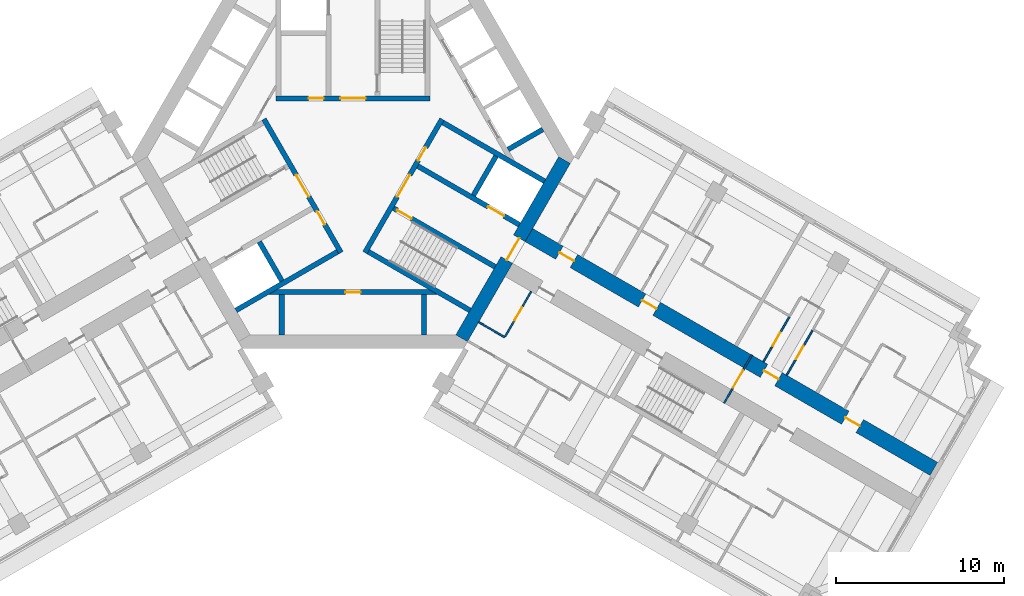
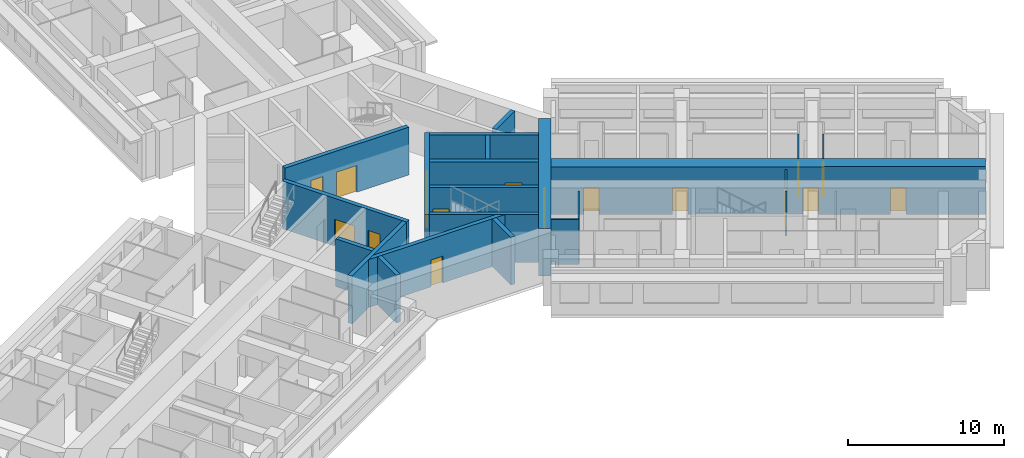
# One storey, part 6 of 12: 21 walls, 18 doors, 18 openings.
"""IFC4 building model written with IfcOpenShell, lengths in metres."""

from ifc_helpers import new_model, si_unit, direction, frame, frame_2d, origin, place, context, subcontext, project, spatial, rectangle, extrude, material, layer, layer_set, type_object, element, fill, save


model = new_model("IFC4")

# Units and contexts
model_context = context("Model", 3, precision=1e-05, world=origin(), true_north=direction((0.0, 1.0)))
body_context = subcontext(model_context, "Body", "Model", "MODEL_VIEW")
ifc_project = project(units=[si_unit("LENGTHUNIT", "METRE"), si_unit("AREAUNIT", "SQUARE_METRE"), si_unit("VOLUMEUNIT", "CUBIC_METRE"), si_unit("PLANEANGLEUNIT", "RADIAN"), si_unit("MASSUNIT", "GRAM", prefix="KILO")], contexts=[model_context])

# Site, building, storey
site_placement = place(None, origin())
site = spatial("IfcSite", under=ifc_project, at=site_placement, CompositionType="ELEMENT")
building_placement = place(site_placement, origin())
building = spatial("IfcBuilding", under=site, at=building_placement, Name="Impinga Residences", CompositionType="ELEMENT")
storey_placement = place(building_placement, frame((0.0, 0.0, 162.25)))
storey = spatial("IfcBuildingStorey", under=building, at=storey_placement, Name="L40", CompositionType="ELEMENT", Elevation=162.25)

# Wall, openings, doors
ifc_material_1 = material(Name="Concrete C60/75", Category="concrete")
ifc_layer_1 = layer(ifc_material_1, 0.89990234375)
ifc_layer_set_1 = layer_set([ifc_layer_1], Name="Concrete C60/75")
wall_type_1 = type_object("IfcWallType", Name="BW2 corridor buttress wall, L24 to L44 900", PredefinedType="SHEAR", material=ifc_layer_set_1)
wall_1_placement = place(storey_placement, frame((10.153564453125, -4.4765625, 0.0), z_axis=(0.0, 0.0, 1.0), x_axis=(0.866027127636, -0.49999701419, 0.0)))
wall_1 = element("IfcWall", 1, at=wall_1_placement, inside=storey, type_object=wall_type_1, Name="Corridor wall BW2 EC L40", PredefinedType="SHEAR", context=body_context, shape_type="SweptSolid", body=[
    extrude(rectangle(XDim=28.300048828125, YDim=0.89990234375, at=frame_2d((14.14990234375, 0.0))), origin(), (0.0, 0.0, 1.0), 3.75),
])
opening_1_placement = place(wall_1_placement, frame((2.5, 0.0, 0.0)))
opening_1 = element("IfcOpeningElement", 2, at=opening_1_placement, cuts=wall_1, Name="Opening D1", PredefinedType="OPENING", context=body_context, shape_type="SweptSolid", body=[
    extrude(rectangle(XDim=1.0, YDim=2.10009765625, at=frame_2d((0.5, 1.050048828125))), frame((0.0, 0.4599609375, 0.0), z_axis=(0.0, -1.0, 0.0), x_axis=(1.0, 0.0, 0.0)), (0.0, 0.0, 1.0), 0.919921875),
])
opening_2_placement = place(wall_1_placement, frame((8.199951171875, 0.0, 0.0)))
opening_2 = element("IfcOpeningElement", 3, at=opening_2_placement, cuts=wall_1, Name="Opening D1", PredefinedType="OPENING", context=body_context, shape_type="SweptSolid", body=[
    extrude(rectangle(XDim=1.0, YDim=2.10009765625, at=frame_2d((0.5, 1.050048828125))), frame((0.0, 0.4599609375, 0.0), z_axis=(0.0, -1.0, 0.0), x_axis=(1.0, 0.0, 0.0)), (0.0, 0.0, 1.0), 0.919921875),
])
opening_3_placement = place(wall_1_placement, frame((16.60009765625, 0.0, 0.0)))
opening_3 = element("IfcOpeningElement", 4, at=opening_3_placement, cuts=wall_1, Name="Opening D1", PredefinedType="OPENING", context=body_context, shape_type="SweptSolid", body=[
    extrude(rectangle(XDim=1.0, YDim=2.10009765625, at=frame_2d((0.5, 1.050048828125))), frame((0.0, 0.4599609375, 0.0), z_axis=(0.0, -1.0, 0.0), x_axis=(1.0, 0.0, 0.0)), (0.0, 0.0, 1.0), 0.919921875),
])
opening_4_placement = place(wall_1_placement, frame((22.199951171875, 0.0, 0.0)))
opening_4 = element("IfcOpeningElement", 5, at=opening_4_placement, cuts=wall_1, Name="Opening D1", PredefinedType="OPENING", context=body_context, shape_type="SweptSolid", body=[
    extrude(rectangle(XDim=1.0, YDim=2.10009765625, at=frame_2d((0.5, 1.050048828125))), frame((0.0, 0.4599609375, 0.0), z_axis=(0.0, -1.0, 0.0), x_axis=(1.0, 0.0, 0.0)), (0.0, 0.0, 1.0), 0.919921875),
])
ifc_material_2 = material(Name="Timber door set", Category="wood")
door_type_1 = type_object("IfcDoorType", Name="D1 apartment entrance door 1000x2100", OperationType="SINGLE_SWING_LEFT", PredefinedType="DOOR", material=ifc_material_2)
door_1_placement = place(opening_1_placement, origin())
door_1 = element("IfcDoor", 6, at=door_1_placement, inside=storey, type_object=door_type_1, Name="Apartment L40-EA1 entrance", OperationType="SINGLE_SWING_LEFT", OverallHeight=2.10009765625, OverallWidth=1.0, PredefinedType="DOOR", context=body_context, shape_type="SweptSolid", body=[
    extrude(rectangle(XDim=1.0, YDim=2.10009765625, at=frame_2d((0.5, 1.050048828125))), frame((0.0, 0.02490234375, 0.0), z_axis=(0.0, -1.0, 0.0), x_axis=(1.0, 0.0, 0.0)), (0.0, 0.0, 1.0), 0.050048828125),
])
fill(opening_1, door_1)
door_2_placement = place(opening_2_placement, origin())
door_2 = element("IfcDoor", 7, at=door_2_placement, inside=storey, type_object=door_type_1, Name="Apartment L40-EA2 entrance", OperationType="SINGLE_SWING_LEFT", OverallHeight=2.10009765625, OverallWidth=1.0, PredefinedType="DOOR", context=body_context, shape_type="SweptSolid", body=[
    extrude(rectangle(XDim=1.0, YDim=2.10009765625, at=frame_2d((0.5, 1.050048828125))), frame((0.0, 0.02490234375, 0.0), z_axis=(0.0, -1.0, 0.0), x_axis=(1.0, 0.0, 0.0)), (0.0, 0.0, 1.0), 0.050048828125),
])
fill(opening_2, door_2)
door_3_placement = place(opening_3_placement, origin())
door_3 = element("IfcDoor", 8, at=door_3_placement, inside=storey, type_object=door_type_1, Name="Apartment L40-EA3 entrance", OperationType="SINGLE_SWING_RIGHT", OverallHeight=2.10009765625, OverallWidth=1.0, PredefinedType="DOOR", context=body_context, shape_type="SweptSolid", body=[
    extrude(rectangle(XDim=1.0, YDim=2.10009765625, at=frame_2d((0.5, 1.050048828125))), frame((0.0, 0.02490234375, 0.0), z_axis=(0.0, -1.0, 0.0), x_axis=(1.0, 0.0, 0.0)), (0.0, 0.0, 1.0), 0.050048828125),
])
fill(opening_3, door_3)
door_4_placement = place(opening_4_placement, origin())
door_4 = element("IfcDoor", 9, at=door_4_placement, inside=storey, type_object=door_type_1, Name="Apartment L40-EA4 entrance", OperationType="SINGLE_SWING_RIGHT", OverallHeight=2.10009765625, OverallWidth=1.0, PredefinedType="DOOR", context=body_context, shape_type="SweptSolid", body=[
    extrude(rectangle(XDim=1.0, YDim=2.10009765625, at=frame_2d((0.5, 1.050048828125))), frame((0.0, 0.02490234375, 0.0), z_axis=(0.0, -1.0, 0.0), x_axis=(1.0, 0.0, 0.0)), (0.0, 0.0, 1.0), 0.050048828125),
])
fill(opening_4, door_4)

# Wall, opening, door
ifc_material_3 = material(Name="Concrete blockwork", Category="masonry")
ifc_layer_2 = layer(ifc_material_3, 0.10009765625)
ifc_layer_set_2 = layer_set([ifc_layer_2], Name="CP1 core room partition, blockwork 100")
wall_type_2 = type_object("IfcWallType", Name="CP1 core room partition, blockwork 100", PredefinedType="PARTITIONING", material=ifc_layer_set_2)
wall_2_placement = place(storey_placement, frame((23.802490234375, -11.837158203125, 0.0), z_axis=(0.0, 0.0, 1.0), x_axis=(-0.500061873842, -0.865989677958, 0.0)))
wall_2 = element("IfcWall", 10, at=wall_2_placement, inside=storey, type_object=wall_type_2, Name="Core room partition, blockwork L40:E:SCR", PredefinedType="PARTITIONING", context=body_context, shape_type="SweptSolid", body=[
    extrude(rectangle(XDim=3.2998046875, YDim=0.10009765625, at=frame_2d((1.64990234375, 0.0))), origin(), (0.0, 0.0, 1.0), 3.530029296875),
])
opening_5_placement = place(wall_2_placement, frame((1.050048828125, 0.0, 0.0)))
opening_5 = element("IfcOpeningElement", 11, at=opening_5_placement, cuts=wall_2, Name="Opening D3", PredefinedType="OPENING", context=body_context, shape_type="SweptSolid", body=[
    extrude(rectangle(XDim=1.199951171875, YDim=2.10009765625, at=frame_2d((0.60009765625, 1.050048828125))), frame((0.0, 0.06005859375, 0.0), z_axis=(0.0, -1.0, 0.0), x_axis=(1.0, 0.0, 0.0)), (0.0, 0.0, 1.0), 0.1201171875),
])
door_type_2 = type_object("IfcDoorType", Name="D3 room door, leaf and a half 1200x2100", OperationType="DOUBLE_SWING_LEFT", PredefinedType="DOOR", material=ifc_material_2)
door_5_placement = place(opening_5_placement, origin())
door_5 = element("IfcDoor", 12, at=door_5_placement, inside=storey, type_object=door_type_2, Name="Corridor smoke door E", OperationType="DOUBLE_SWING_LEFT", OverallHeight=2.10009765625, OverallWidth=1.199951171875, PredefinedType="DOOR", context=body_context, shape_type="SweptSolid", body=[
    extrude(rectangle(XDim=1.199951171875, YDim=2.10009765625, at=frame_2d((0.60009765625, 1.050048828125))), frame((0.0, 0.02490234375, 0.0), z_axis=(0.0, -1.0, 0.0), x_axis=(1.0, 0.0, 0.0)), (0.0, 0.0, 1.0), 0.050048828125),
])
fill(opening_5, door_5)

ifc_material_4 = material(Name="Gypsum board on steel studs", Category="steel")
ifc_layer_3 = layer(ifc_material_4, 0.10009765625)
ifc_layer_set_3 = layer_set([ifc_layer_3], Name="Gypsum board on steel studs")
wall_type_3 = type_object("IfcWallType", Name="IP1 partition 100", PredefinedType="PARTITIONING", material=ifc_layer_set_3)
wall_3_placement = place(storey_placement, frame((24.494873046875, -12.23681640625, 0.0), z_axis=(0.0, 0.0, 1.0), x_axis=(0.500026960575, 0.86600983753, 0.0)))
wall_3 = element("IfcWall", 13, at=wall_3_placement, inside=storey, type_object=wall_type_3, Name="Partition L40-EA3:IB1", PredefinedType="PARTITIONING", context=body_context, shape_type="SweptSolid", body=[
    extrude(rectangle(XDim=3.099853515625, YDim=0.10009765625, at=frame_2d((1.5498046875, 0.0))), origin(), (0.0, 0.0, 1.0), 3.530029296875),
])
opening_6_placement = place(wall_3_placement, frame((1.10009765625, 0.0, 0.0)))
opening_6 = element("IfcOpeningElement", 14, at=opening_6_placement, cuts=wall_3, Name="Opening D2", PredefinedType="OPENING", context=body_context, shape_type="SweptSolid", body=[
    extrude(rectangle(XDim=0.89990234375, YDim=2.10009765625, at=frame_2d((0.449951171875, 1.050048828125))), frame((0.0, 0.06005859375, 0.0), z_axis=(0.0, -1.0, 0.0), x_axis=(1.0, 0.0, 0.0)), (0.0, 0.0, 1.0), 0.1201171875),
])
door_type_3 = type_object("IfcDoorType", Name="D2 internal door 900x2100", OperationType="SINGLE_SWING_LEFT", PredefinedType="DOOR", material=ifc_material_2)
door_6_placement = place(opening_6_placement, origin())
door_6 = element("IfcDoor", 15, at=door_6_placement, inside=storey, type_object=door_type_3, Name="Apartment L40-EA3 bathroom door", OperationType="SINGLE_SWING_LEFT", OverallHeight=2.10009765625, OverallWidth=0.89990234375, PredefinedType="DOOR", context=body_context, shape_type="SweptSolid", body=[
    extrude(rectangle(XDim=0.89990234375, YDim=2.10009765625, at=frame_2d((0.449951171875, 1.050048828125))), frame((0.0, 0.02490234375, 0.0), z_axis=(0.0, -1.0, 0.0), x_axis=(1.0, 0.0, 0.0)), (0.0, 0.0, 1.0), 0.050048828125),
])
fill(opening_6, door_6)

wall_4_placement = place(storey_placement, frame((25.88037109375, -13.036865234375, 0.0), z_axis=(0.0, 0.0, 1.0), x_axis=(0.49999285859, 0.86602952684, 0.0)))
wall_4 = element("IfcWall", 16, at=wall_4_placement, inside=storey, type_object=wall_type_3, Name="Partition L40-EA3:IB2", PredefinedType="PARTITIONING", context=body_context, shape_type="SweptSolid", body=[
    extrude(rectangle(XDim=3.10009765625, YDim=0.10009765625, at=frame_2d((1.550048828125, 0.0))), origin(), (0.0, 0.0, 1.0), 3.530029296875),
])
opening_7_placement = place(wall_4_placement, frame((1.10009765625, 0.0, 0.0)))
opening_7 = element("IfcOpeningElement", 17, at=opening_7_placement, cuts=wall_4, Name="Opening D2", PredefinedType="OPENING", context=body_context, shape_type="SweptSolid", body=[
    extrude(rectangle(XDim=0.89990234375, YDim=2.10009765625, at=frame_2d((0.449951171875, 1.050048828125))), frame((0.0, 0.06005859375, 0.0), z_axis=(0.0, -1.0, 0.0), x_axis=(1.0, 0.0, 0.0)), (0.0, 0.0, 1.0), 0.1201171875),
])
door_7_placement = place(opening_7_placement, origin())
door_7 = element("IfcDoor", 18, at=door_7_placement, inside=storey, type_object=door_type_3, Name="Apartment L40-EA3 WC door", OperationType="SINGLE_SWING_LEFT", OverallHeight=2.10009765625, OverallWidth=0.89990234375, PredefinedType="DOOR", context=body_context, shape_type="SweptSolid", body=[
    extrude(rectangle(XDim=0.89990234375, YDim=2.10009765625, at=frame_2d((0.449951171875, 1.050048828125))), frame((0.0, 0.02490234375, 0.0), z_axis=(0.0, -1.0, 0.0), x_axis=(1.0, 0.0, 0.0)), (0.0, 0.0, 1.0), 0.050048828125),
])
fill(opening_7, door_7)

# Wall
wall_5_placement = place(storey_placement, frame((7.5, -9.872802734375, 0.0), z_axis=(0.0, 0.0, 1.0), x_axis=(0.866047807691, -0.499961193289, 0.0)))
element("IfcWall", 19, at=wall_5_placement, inside=storey, type_object=wall_type_3, Name="Partition L40-EF1:DIV0", PredefinedType="PARTITIONING", context=body_context, shape_type="SweptSolid", body=[
    extrude(rectangle(XDim=1.800048828125, YDim=0.10009765625, at=frame_2d((0.89990234375, 0.0))), origin(), (0.0, 0.0, 1.0), 3.530029296875),
])

# Wall, opening, door
wall_6_placement = place(storey_placement, frame((10.6337890625, -8.044677734375, 0.0), z_axis=(0.0, 0.0, 1.0), x_axis=(-0.49999285859, -0.86602952684, 0.0)))
wall_6 = element("IfcWall", 20, at=wall_6_placement, inside=storey, type_object=wall_type_3, Name="Partition L40-EF1:IB1", PredefinedType="PARTITIONING", context=body_context, shape_type="SweptSolid", body=[
    extrude(rectangle(XDim=3.10009765625, YDim=0.10009765625, at=frame_2d((1.550048828125, 0.0))), origin(), (0.0, 0.0, 1.0), 3.530029296875),
])
opening_8_placement = place(wall_6_placement, frame((1.10009765625, 0.0, 0.0)))
opening_8 = element("IfcOpeningElement", 21, at=opening_8_placement, cuts=wall_6, Name="Opening D2", PredefinedType="OPENING", context=body_context, shape_type="SweptSolid", body=[
    extrude(rectangle(XDim=0.89990234375, YDim=2.10009765625, at=frame_2d((0.449951171875, 1.050048828125))), frame((0.0, 0.06005859375, 0.0), z_axis=(0.0, -1.0, 0.0), x_axis=(1.0, 0.0, 0.0)), (0.0, 0.0, 1.0), 0.1201171875),
])
door_8_placement = place(opening_8_placement, origin())
door_8 = element("IfcDoor", 22, at=door_8_placement, inside=storey, type_object=door_type_3, Name="Apartment L40-EF1 bathroom door", OperationType="SINGLE_SWING_LEFT", OverallHeight=2.10009765625, OverallWidth=0.89990234375, PredefinedType="DOOR", context=body_context, shape_type="SweptSolid", body=[
    extrude(rectangle(XDim=0.89990234375, YDim=2.10009765625, at=frame_2d((0.449951171875, 1.050048828125))), frame((0.0, 0.02490234375, 0.0), z_axis=(0.0, -1.0, 0.0), x_axis=(1.0, 0.0, 0.0)), (0.0, 0.0, 1.0), 0.050048828125),
])
fill(opening_8, door_8)

ifc_layer_4 = layer(ifc_material_1, 0.800048828125)
ifc_layer_set_4 = layer_set([ifc_layer_4], Name="Concrete C60/75")
wall_type_4 = type_object("IfcWallType", Name="SW2 core wall 800", PredefinedType="SHEAR", material=ifc_layer_set_4)
wall_7_placement = place(storey_placement, frame((12.62255859375, -0.199951171875, 0.0), z_axis=(0.0, 0.0, 1.0), x_axis=(-0.499986991068, -0.866032914365, 0.0)))
wall_7 = element("IfcWall", 23, at=wall_7_placement, inside=storey, type_object=wall_type_4, Name="Core wall SW2 E:FACE L40", PredefinedType="SHEAR", context=body_context, shape_type="SweptSolid", body=[
    extrude(rectangle(XDim=12.276123046875, YDim=0.800048828125, at=frame_2d((6.13818359375, 0.0))), origin(), (0.0, 0.0, 1.0), 3.75),
])
opening_9_placement = place(wall_7_placement, frame((5.38818359375, 0.0, 0.0)))
opening_9 = element("IfcOpeningElement", 24, at=opening_9_placement, cuts=wall_7, Name="Opening D4", PredefinedType="OPENING", context=body_context, shape_type="SweptSolid", body=[
    extrude(rectangle(XDim=1.5, YDim=2.10009765625, at=frame_2d((0.75, 1.050048828125))), frame((0.0, 0.409912109375, 0.0), z_axis=(0.0, -1.0, 0.0), x_axis=(1.0, 0.0, 0.0)), (0.0, 0.0, 1.0), 0.820068359375),
])
door_type_4 = type_object("IfcDoorType", Name="D4 lobby door pair 1500x2100", OperationType="DOUBLE_DOOR_DOUBLE_SWING", PredefinedType="DOOR", material=ifc_material_2)
door_9_placement = place(opening_9_placement, origin())
door_9 = element("IfcDoor", 25, at=door_9_placement, inside=storey, type_object=door_type_4, Name="Lobby door E", OperationType="DOUBLE_DOOR_DOUBLE_SWING", OverallHeight=2.10009765625, OverallWidth=1.5, PredefinedType="DOOR", context=body_context, shape_type="SweptSolid", body=[
    extrude(rectangle(XDim=1.5, YDim=2.10009765625, at=frame_2d((0.75, 1.050048828125))), frame((0.0, 0.02490234375, 0.0), z_axis=(0.0, -1.0, 0.0), x_axis=(1.0, 0.0, 0.0)), (0.0, 0.0, 1.0), 0.050048828125),
])
fill(opening_9, door_9)

# Wall, openings, doors
ifc_material_5 = material(Name="Concrete C70/85", Category="concrete")
ifc_layer_5 = layer(ifc_material_5, 0.300048828125)
ifc_layer_set_5 = layer_set([ifc_layer_5], Name="Concrete C70/85")
wall_type_5 = type_object("IfcWallType", Name="SW5 core inner wall, stairs, shafts and lobbies 300", PredefinedType="SHEAR", material=ifc_layer_set_5)
wall_8_placement = place(storey_placement, frame((-4.60009765625, 3.47998046875, 0.0), z_axis=(0.0, 0.0, 1.0), x_axis=(1.0, 0.0, 0.0)))
wall_8 = element("IfcWall", 26, at=wall_8_placement, inside=storey, type_object=wall_type_5, Name="Core wall SW5 N:ZONE L40", PredefinedType="SHEAR", context=body_context, shape_type="SweptSolid", body=[
    extrude(rectangle(XDim=9.2001953125, YDim=0.300048828125, at=frame_2d((4.60009765625, 0.0))), origin(), (0.0, 0.0, 1.0), 3.75),
])
opening_10_placement = place(wall_8_placement, frame((3.85009765625, 0.0, 0.0)))
opening_10 = element("IfcOpeningElement", 27, at=opening_10_placement, cuts=wall_8, Name="Opening D4", PredefinedType="OPENING", context=body_context, shape_type="SweptSolid", body=[
    extrude(rectangle(XDim=1.5, YDim=2.10009765625, at=frame_2d((0.75, 1.050048828125))), frame((0.0, 0.159912109375, 0.0), z_axis=(0.0, -1.0, 0.0), x_axis=(1.0, 0.0, 0.0)), (0.0, 0.0, 1.0), 0.320068359375),
])
opening_11_placement = place(wall_8_placement, frame((1.949951171875, 0.0, 0.0)))
opening_11 = element("IfcOpeningElement", 28, at=opening_11_placement, cuts=wall_8, Name="Opening D6", PredefinedType="OPENING", context=body_context, shape_type="SweptSolid", body=[
    extrude(rectangle(XDim=0.89990234375, YDim=2.10009765625, at=frame_2d((0.449951171875, 1.050048828125))), frame((0.0, 0.159912109375, 0.0), z_axis=(0.0, -1.0, 0.0), x_axis=(1.0, 0.0, 0.0)), (0.0, 0.0, 1.0), 0.320068359375),
])
door_10_placement = place(opening_10_placement, origin())
door_10 = element("IfcDoor", 29, at=door_10_placement, inside=storey, type_object=door_type_4, Name="Firefighting lobby door N", OperationType="DOUBLE_DOOR_DOUBLE_SWING", OverallHeight=2.10009765625, OverallWidth=1.5, PredefinedType="DOOR", context=body_context, shape_type="SweptSolid", body=[
    extrude(rectangle(XDim=1.5, YDim=2.10009765625, at=frame_2d((0.75, 1.050048828125))), frame((0.0, 0.02490234375, 0.0), z_axis=(0.0, -1.0, 0.0), x_axis=(1.0, 0.0, 0.0)), (0.0, 0.0, 1.0), 0.050048828125),
])
fill(opening_10, door_10)
door_type_5 = type_object("IfcDoorType", Name="D6 riser and store door 900x2100", OperationType="SINGLE_SWING_LEFT", PredefinedType="DOOR", material=ifc_material_2)
door_11_placement = place(opening_11_placement, origin())
door_11 = element("IfcDoor", 30, at=door_11_placement, inside=storey, type_object=door_type_5, Name="Riser door N", OperationType="SINGLE_SWING_LEFT", OverallHeight=2.10009765625, OverallWidth=0.89990234375, PredefinedType="DOOR", context=body_context, shape_type="SweptSolid", body=[
    extrude(rectangle(XDim=0.89990234375, YDim=2.10009765625, at=frame_2d((0.449951171875, 1.050048828125))), frame((0.0, 0.02490234375, 0.0), z_axis=(0.0, -1.0, 0.0), x_axis=(1.0, 0.0, 0.0)), (0.0, 0.0, 1.0), 0.050048828125),
])
fill(opening_11, door_11)

wall_9_placement = place(storey_placement, frame((-0.7138671875, -5.7236328125, 0.0), z_axis=(0.0, 0.0, 1.0), x_axis=(-0.499995050369, 0.866028261437, 0.0)))
wall_9 = element("IfcWall", 31, at=wall_9_placement, inside=storey, type_object=wall_type_5, Name="Core wall SW5 W:ZONE L40", PredefinedType="SHEAR", context=body_context, shape_type="SweptSolid", body=[
    extrude(rectangle(XDim=9.19970703125, YDim=0.300048828125, at=frame_2d((4.599853515625, 0.0))), origin(), (0.0, 0.0, 1.0), 3.75),
])
opening_12_placement = place(wall_9_placement, frame((3.85009765625, 0.0, 0.0)))
opening_12 = element("IfcOpeningElement", 32, at=opening_12_placement, cuts=wall_9, Name="Opening D4", PredefinedType="OPENING", context=body_context, shape_type="SweptSolid", body=[
    extrude(rectangle(XDim=1.5, YDim=2.10009765625, at=frame_2d((0.75, 1.050048828125))), frame((0.0, 0.159912109375, 0.0), z_axis=(0.0, -1.0, 0.0), x_axis=(1.0, 0.0, 0.0)), (0.0, 0.0, 1.0), 0.320068359375),
])
opening_13_placement = place(wall_9_placement, frame((1.949951171875, 0.0, 0.0)))
opening_13 = element("IfcOpeningElement", 33, at=opening_13_placement, cuts=wall_9, Name="Opening D6", PredefinedType="OPENING", context=body_context, shape_type="SweptSolid", body=[
    extrude(rectangle(XDim=0.89990234375, YDim=2.10009765625, at=frame_2d((0.449951171875, 1.050048828125))), frame((0.0, 0.159912109375, 0.0), z_axis=(0.0, -1.0, 0.0), x_axis=(1.0, 0.0, 0.0)), (0.0, 0.0, 1.0), 0.320068359375),
])
door_12_placement = place(opening_12_placement, origin())
door_12 = element("IfcDoor", 34, at=door_12_placement, inside=storey, type_object=door_type_4, Name="Firefighting lobby door W", OperationType="DOUBLE_DOOR_DOUBLE_SWING", OverallHeight=2.10009765625, OverallWidth=1.5, PredefinedType="DOOR", context=body_context, shape_type="SweptSolid", body=[
    extrude(rectangle(XDim=1.5, YDim=2.10009765625, at=frame_2d((0.75, 1.050048828125))), frame((0.0, 0.02490234375, 0.0), z_axis=(0.0, -1.0, 0.0), x_axis=(1.0, 0.0, 0.0)), (0.0, 0.0, 1.0), 0.050048828125),
])
fill(opening_12, door_12)
door_13_placement = place(opening_13_placement, origin())
door_13 = element("IfcDoor", 35, at=door_13_placement, inside=storey, type_object=door_type_5, Name="Riser door W", OperationType="SINGLE_SWING_LEFT", OverallHeight=2.10009765625, OverallWidth=0.89990234375, PredefinedType="DOOR", context=body_context, shape_type="SweptSolid", body=[
    extrude(rectangle(XDim=0.89990234375, YDim=2.10009765625, at=frame_2d((0.449951171875, 1.050048828125))), frame((0.0, 0.02490234375, 0.0), z_axis=(0.0, -1.0, 0.0), x_axis=(1.0, 0.0, 0.0)), (0.0, 0.0, 1.0), 0.050048828125),
])
fill(opening_13, door_13)

# Walls
wall_10_placement = place(storey_placement, frame((-0.918701171875, -5.668701171875, 0.0), z_axis=(0.0, 0.0, 1.0), x_axis=(-0.866011380966, -0.500024287448, 0.0)))
element("IfcWall", 36, at=wall_10_placement, inside=storey, type_object=wall_type_5, Name="Core wall SW5 W:FF-OUT L40", PredefinedType="SHEAR", context=body_context, shape_type="SweptSolid", body=[
    extrude(rectangle(XDim=7.001708984375, YDim=0.300048828125, at=frame_2d((3.5009765625, 0.0))), origin(), (0.0, 0.0, 1.0), 3.75),
])
wall_11_placement = place(storey_placement, frame((-4.2412109375, -7.413818359375, 0.0), z_axis=(0.0, 0.0, 1.0), x_axis=(-0.500048589285, 0.86599734893, 0.0)))
element("IfcWall", 37, at=wall_11_placement, inside=storey, type_object=wall_type_5, Name="Core wall SW5 W:FF-RS L40", PredefinedType="SHEAR", context=body_context, shape_type="SweptSolid", body=[
    extrude(rectangle(XDim=2.699951171875, YDim=0.300048828125, at=frame_2d((1.35009765625, 0.0))), origin(), (0.0, 0.0, 1.0), 3.75),
])

# Wall, openings, doors
wall_12_placement = place(storey_placement, frame((5.313720703125, 2.24365234375, 0.0), z_axis=(0.0, 0.0, 1.0), x_axis=(-0.499995050369, -0.866028261437, 0.0)))
wall_12 = element("IfcWall", 38, at=wall_12_placement, inside=storey, type_object=wall_type_5, Name="Core wall SW5 E:ZONE L40", PredefinedType="SHEAR", context=body_context, shape_type="SweptSolid", body=[
    extrude(rectangle(XDim=9.19970703125, YDim=0.300048828125, at=frame_2d((4.599853515625, 0.0))), origin(), (0.0, 0.0, 1.0), 3.75),
])
opening_14_placement = place(wall_12_placement, frame((3.85009765625, 0.0, 0.0)))
opening_14 = element("IfcOpeningElement", 39, at=opening_14_placement, cuts=wall_12, Name="Opening D4", PredefinedType="OPENING", context=body_context, shape_type="SweptSolid", body=[
    extrude(rectangle(XDim=1.5, YDim=2.10009765625, at=frame_2d((0.75, 1.050048828125))), frame((0.0, 0.159912109375, 0.0), z_axis=(0.0, -1.0, 0.0), x_axis=(1.0, 0.0, 0.0)), (0.0, 0.0, 1.0), 0.320068359375),
])
opening_15_placement = place(wall_12_placement, frame((1.949951171875, 0.0, 0.0)))
opening_15 = element("IfcOpeningElement", 40, at=opening_15_placement, cuts=wall_12, Name="Opening D6", PredefinedType="OPENING", context=body_context, shape_type="SweptSolid", body=[
    extrude(rectangle(XDim=0.89990234375, YDim=2.10009765625, at=frame_2d((0.449951171875, 1.050048828125))), frame((0.0, 0.159912109375, 0.0), z_axis=(0.0, -1.0, 0.0), x_axis=(1.0, 0.0, 0.0)), (0.0, 0.0, 1.0), 0.320068359375),
])
door_14_placement = place(opening_14_placement, origin())
door_14 = element("IfcDoor", 41, at=door_14_placement, inside=storey, type_object=door_type_4, Name="Firefighting lobby door E", OperationType="DOUBLE_DOOR_DOUBLE_SWING", OverallHeight=2.10009765625, OverallWidth=1.5, PredefinedType="DOOR", context=body_context, shape_type="SweptSolid", body=[
    extrude(rectangle(XDim=1.5, YDim=2.10009765625, at=frame_2d((0.75, 1.050048828125))), frame((0.0, 0.02490234375, 0.0), z_axis=(0.0, -1.0, 0.0), x_axis=(1.0, 0.0, 0.0)), (0.0, 0.0, 1.0), 0.050048828125),
])
fill(opening_14, door_14)
door_15_placement = place(opening_15_placement, origin())
door_15 = element("IfcDoor", 42, at=door_15_placement, inside=storey, type_object=door_type_5, Name="Riser door E", OperationType="SINGLE_SWING_LEFT", OverallHeight=2.10009765625, OverallWidth=0.89990234375, PredefinedType="DOOR", context=body_context, shape_type="SweptSolid", body=[
    extrude(rectangle(XDim=0.89990234375, YDim=2.10009765625, at=frame_2d((0.449951171875, 1.050048828125))), frame((0.0, 0.02490234375, 0.0), z_axis=(0.0, -1.0, 0.0), x_axis=(1.0, 0.0, 0.0)), (0.0, 0.0, 1.0), 0.050048828125),
])
fill(opening_15, door_15)

# Wall, opening, door
wall_13_placement = place(storey_placement, frame((2.418701171875, -3.07080078125, 0.0), z_axis=(0.0, 0.0, 1.0), x_axis=(0.866026480128, -0.499998135713, 0.0)))
wall_13 = element("IfcWall", 43, at=wall_13_placement, inside=storey, type_object=wall_type_5, Name="Core wall SW5 E:ST-IN L40", PredefinedType="SHEAR", context=body_context, shape_type="SweptSolid", body=[
    extrude(rectangle(XDim=7.00146484375, YDim=0.300048828125, at=frame_2d((3.500732421875, 0.0))), origin(), (0.0, 0.0, 1.0), 3.75),
])
opening_16_placement = place(wall_13_placement, frame((0.25, 0.0, 0.0)))
opening_16 = element("IfcOpeningElement", 44, at=opening_16_placement, cuts=wall_13, Name="Opening D5", PredefinedType="OPENING", context=body_context, shape_type="SweptSolid", body=[
    extrude(rectangle(XDim=1.0, YDim=2.10009765625, at=frame_2d((0.5, 1.050048828125))), frame((0.0, 0.159912109375, 0.0), z_axis=(0.0, -1.0, 0.0), x_axis=(1.0, 0.0, 0.0)), (0.0, 0.0, 1.0), 0.320068359375),
])
door_type_6 = type_object("IfcDoorType", Name="D5 stair door 1000x2100", OperationType="SINGLE_SWING_LEFT", PredefinedType="DOOR", material=ifc_material_2)
door_16_placement = place(opening_16_placement, origin())
door_16 = element("IfcDoor", 45, at=door_16_placement, inside=storey, type_object=door_type_6, Name="Stair door E", OperationType="SINGLE_SWING_LEFT", OverallHeight=2.10009765625, OverallWidth=1.0, PredefinedType="DOOR", context=body_context, shape_type="SweptSolid", body=[
    extrude(rectangle(XDim=1.0, YDim=2.10009765625, at=frame_2d((0.5, 1.050048828125))), frame((0.0, 0.02490234375, 0.0), z_axis=(0.0, -1.0, 0.0), x_axis=(1.0, 0.0, 0.0)), (0.0, 0.0, 1.0), 0.050048828125),
])
fill(opening_16, door_16)

# Wall
wall_14_placement = place(storey_placement, frame((0.918701171875, -5.668701171875, 0.0), z_axis=(0.0, 0.0, 1.0), x_axis=(0.866011380966, -0.500024287448, 0.0)))
element("IfcWall", 46, at=wall_14_placement, inside=storey, type_object=wall_type_5, Name="Core wall SW5 E:ST-OUT L40", PredefinedType="SHEAR", context=body_context, shape_type="SweptSolid", body=[
    extrude(rectangle(XDim=7.001708984375, YDim=0.300048828125, at=frame_2d((3.5009765625, 0.0))), origin(), (0.0, 0.0, 1.0), 3.75),
])

# Wall, opening, door
wall_15_placement = place(storey_placement, frame((3.86865234375, -0.559326171875, 0.0), z_axis=(0.0, 0.0, 1.0), x_axis=(0.866026480128, -0.499998135713, 0.0)))
wall_15 = element("IfcWall", 47, at=wall_15_placement, inside=storey, type_object=wall_type_5, Name="Core wall SW5 E:FF-IN L40", PredefinedType="SHEAR", context=body_context, shape_type="SweptSolid", body=[
    extrude(rectangle(XDim=7.00146484375, YDim=0.300048828125, at=frame_2d((3.500732421875, 0.0))), origin(), (0.0, 0.0, 1.0), 3.75),
])
opening_17_placement = place(wall_15_placement, frame((4.85009765625, 0.0, 0.0)))
opening_17 = element("IfcOpeningElement", 48, at=opening_17_placement, cuts=wall_15, Name="Opening LD2", PredefinedType="OPENING", context=body_context, shape_type="SweptSolid", body=[
    extrude(rectangle(XDim=1.10009765625, YDim=2.10009765625, at=frame_2d((0.550048828125, 1.050048828125))), frame((0.0, 0.159912109375, 0.0), z_axis=(0.0, -1.0, 0.0), x_axis=(1.0, 0.0, 0.0)), (0.0, 0.0, 1.0), 0.320068359375),
])
ifc_material_6 = material(Name="Steel lift landing door", Category="steel")
door_type_7 = type_object("IfcDoorType", Name="LD2 firefighting lift landing door 1100x2100", OperationType="DOUBLE_DOOR_SLIDING", PredefinedType="DOOR", material=ifc_material_6)
door_17_placement = place(opening_17_placement, origin())
door_17 = element("IfcDoor", 49, at=door_17_placement, inside=storey, type_object=door_type_7, Name="Firefighting lift landing door F3", OperationType="DOUBLE_DOOR_SLIDING", OverallHeight=2.10009765625, OverallWidth=1.10009765625, PredefinedType="DOOR", context=body_context, shape_type="SweptSolid", body=[
    extrude(rectangle(XDim=1.10009765625, YDim=2.10009765625, at=frame_2d((0.550048828125, 1.050048828125))), frame((0.0, 0.02490234375, 0.0), z_axis=(0.0, -1.0, 0.0), x_axis=(1.0, 0.0, 0.0)), (0.0, 0.0, 1.0), 0.050048828125),
])
fill(opening_17, door_17)

# Walls
wall_16_placement = place(storey_placement, frame((5.36865234375, 2.038818359375, 0.0), z_axis=(0.0, 0.0, 1.0), x_axis=(0.866026480128, -0.499998135713, 0.0)))
element("IfcWall", 50, at=wall_16_placement, inside=storey, type_object=wall_type_5, Name="Core wall SW5 E:FF-OUT L40", PredefinedType="SHEAR", context=body_context, shape_type="SweptSolid", body=[
    extrude(rectangle(XDim=7.00146484375, YDim=0.300048828125, at=frame_2d((3.500732421875, 0.0))), origin(), (0.0, 0.0, 1.0), 3.75),
])
wall_17_placement = place(storey_placement, frame((8.541259765625, 0.033935546875, 0.0), z_axis=(0.0, 0.0, 1.0), x_axis=(-0.50000943426, -0.866019956843, 0.0)))
element("IfcWall", 51, at=wall_17_placement, inside=storey, type_object=wall_type_5, Name="Core wall SW5 E:FF-RS L40", PredefinedType="SHEAR", context=body_context, shape_type="SweptSolid", body=[
    extrude(rectangle(XDim=2.7001953125, YDim=0.300048828125, at=frame_2d((1.35009765625, 0.0))), origin(), (0.0, 0.0, 1.0), 3.75),
])

# Wall, opening, door
wall_18_placement = place(storey_placement, frame((5.09765625, -8.08154296875, 0.0), z_axis=(0.0, 0.0, 1.0), x_axis=(-1.0, 0.0, 0.0)))
wall_18 = element("IfcWall", 52, at=wall_18_placement, inside=storey, type_object=wall_type_5, Name="Core wall SW5 N:BANK-FRONT L40", PredefinedType="SHEAR", context=body_context, shape_type="SweptSolid", body=[
    extrude(rectangle(XDim=10.1953125, YDim=0.300048828125, at=frame_2d((5.09765625, 0.0))), origin(), (0.0, 0.0, 1.0), 3.75),
])
opening_18_placement = place(wall_18_placement, frame((4.647705078125, 0.0, 0.0)))
opening_18 = element("IfcOpeningElement", 53, at=opening_18_placement, cuts=wall_18, Name="Opening D6", PredefinedType="OPENING", context=body_context, shape_type="SweptSolid", body=[
    extrude(rectangle(XDim=0.89990234375, YDim=2.10009765625, at=frame_2d((0.449951171875, 1.050048828125))), frame((0.0, 0.159912109375, 0.0), z_axis=(0.0, -1.0, 0.0), x_axis=(1.0, 0.0, 0.0)), (0.0, 0.0, 1.0), 0.320068359375),
])
door_18_placement = place(opening_18_placement, origin())
door_18 = element("IfcDoor", 54, at=door_18_placement, inside=storey, type_object=door_type_5, Name="Residents' parcel room door", OperationType="SINGLE_SWING_LEFT", OverallHeight=2.10009765625, OverallWidth=0.89990234375, PredefinedType="DOOR", context=body_context, shape_type="SweptSolid", body=[
    extrude(rectangle(XDim=0.89990234375, YDim=2.10009765625, at=frame_2d((0.449951171875, 1.050048828125))), frame((0.0, 0.02490234375, 0.0), z_axis=(0.0, -1.0, 0.0), x_axis=(1.0, 0.0, 0.0)), (0.0, 0.0, 1.0), 0.050048828125),
])
fill(opening_18, door_18)

# Walls
for number, where, z_axis, x_axis, name in (
    (55, (4.25, -8.2314453125, 0.0), (0.0, 0.0, 1.0), (0.0, -1.0, 0.0), "Core wall SW5 N:BANK-L L40"),
    (56, (-4.25, -8.2314453125, 0.0), (0.0, 0.0, 1.0), (0.0, -1.0, 0.0), "Core wall SW5 N:BANK-R L40"),
    (57, (9.253662109375, 0.43505859375, 0.0), (0.0, 0.0, 1.0), (0.866006032174, 0.500033551112, 0.0), "Core wall SW5 W:BANK-R L40"),
):
    element("IfcWall", number, at=place(storey_placement, frame(where, z_axis=z_axis, x_axis=x_axis)), inside=storey, type_object=wall_type_5, Name=name, PredefinedType="SHEAR", context=body_context, shape_type="SweptSolid", body=[
        extrude(rectangle(XDim=2.400146484375, YDim=0.300048828125, at=frame_2d((1.2001953125, 0.0))), origin(), (0.0, 0.0, 1.0), 3.75),
    ])

save(model, "model.ifc")
